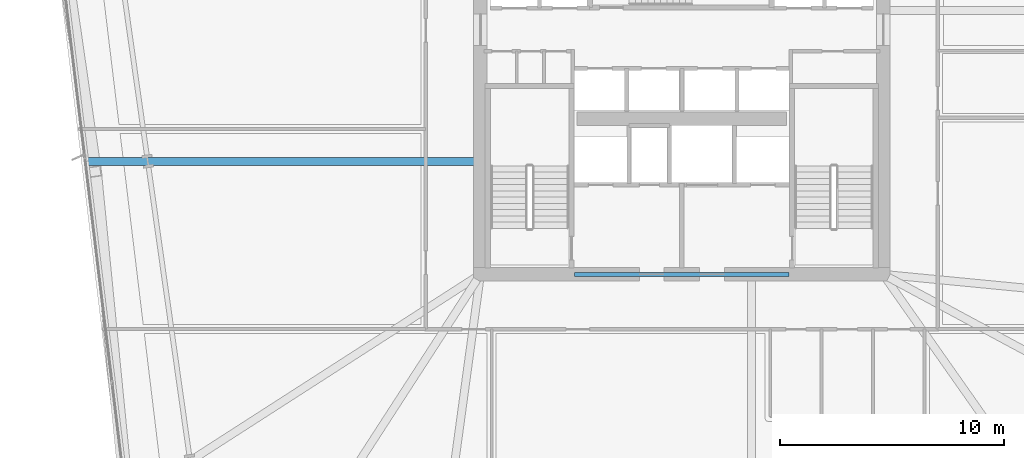
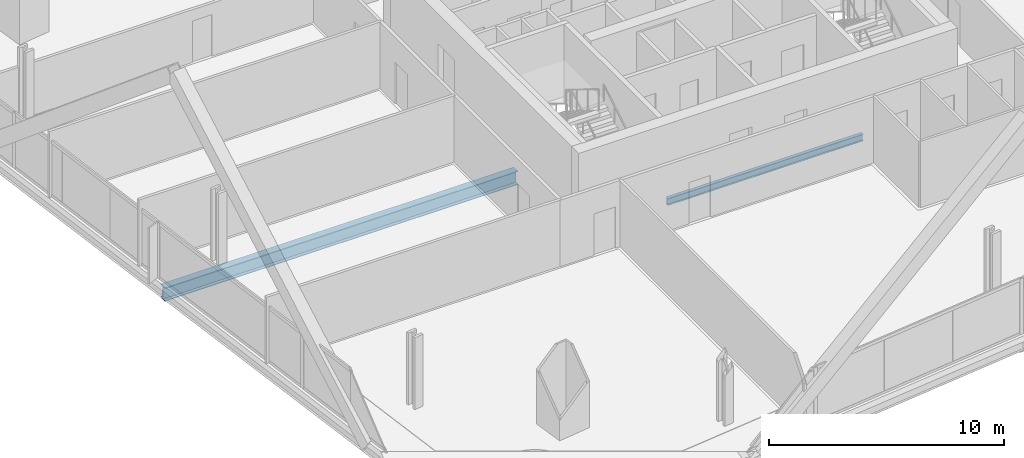
# One storey, part 8 of 33: 2 beams.
"""IFC4 building model written with IfcOpenShell, lengths in metres."""

from ifc_helpers import new_model, si_unit, direction, frame, origin, origin_2d, place, context, subcontext, project, spatial, i_section, extrude, material, material_profile, profile_set, type_object, element, save


model = new_model("IFC4")

# Units and contexts
model_context = context("Model", 3, precision=1e-05, world=origin(), true_north=direction((0.0, 1.0)))
body_context = subcontext(model_context, "Body", "Model", "MODEL_VIEW")
ifc_project = project(units=[si_unit("LENGTHUNIT", "METRE"), si_unit("AREAUNIT", "SQUARE_METRE"), si_unit("VOLUMEUNIT", "CUBIC_METRE"), si_unit("PLANEANGLEUNIT", "RADIAN"), si_unit("MASSUNIT", "GRAM", prefix="KILO")], contexts=[model_context])

# Site, building, storey
site_placement = place(None, origin())
site = spatial("IfcSite", under=ifc_project, at=site_placement, CompositionType="ELEMENT")
building_placement = place(site_placement, origin())
building = spatial("IfcBuilding", under=site, at=building_placement, Name="Haldenkirk Collegiate Tower", CompositionType="ELEMENT")
storey_placement = place(building_placement, frame((0.0, 0.0, 51.449951171875)))
storey = spatial("IfcBuildingStorey", under=building, at=storey_placement, Name="L11", CompositionType="ELEMENT", Elevation=51.449951171875)

# Beams
ifc_material = material(Name="Steel ASTM A992 Grade 50", Category="steel")
ifc_material_profile_1 = material_profile(ifc_material, i_section(OverallWidth=0.35498046875, OverallDepth=0.696044921875, WebThickness=0.015380859375, FlangeThickness=0.02490234375, at=origin_2d()), Name="W27X146")
ifc_profile_set_1 = profile_set([ifc_material_profile_1], Name="Steel ASTM A992 Grade 50")
beam_type_1 = type_object("IfcBeamType", Name="BM-GIRDER-W27X146", PredefinedType="BEAM", material=ifc_profile_set_1)
beam_1_placement = place(storey_placement, frame((9.38134765625, 23.052978515625, -0.657958984375), z_axis=(1.0, 0.0, 0.0), x_axis=(0.0, 1.0, 0.0)))
element("IfcBeam", 1, at=beam_1_placement, inside=storey, type_object=beam_type_1, Name="L11 primary floor girder 15", PredefinedType="BEAM", context=body_context, shape_type="SweptSolid", body=[
    extrude(i_section(OverallWidth=0.35498046875, OverallDepth=0.696044921875, WebThickness=0.015380859375, FlangeThickness=0.02490234375, at=origin_2d()), origin(), (0.0, 0.0, 1.0), 17.338623046875),
])
ifc_material_profile_2 = material_profile(ifc_material, i_section(OverallWidth=0.1708984375, OverallDepth=0.35595703125, WebThickness=0.007080078125, FlangeThickness=0.01171875, at=origin_2d()), Name="W14X34")
ifc_profile_set_2 = profile_set([ifc_material_profile_2], Name="Steel ASTM A992 Grade 50")
beam_type_2 = type_object("IfcBeamType", Name="BM-LINTEL-W14X34", PredefinedType="LINTEL", material=ifc_profile_set_2)
beam_2_placement = place(storey_placement, frame((31.199951171875, 18.0, -0.488037109375), z_axis=(1.0, 0.0, 0.0), x_axis=(0.0, 1.0, 0.0)))
element("IfcBeam", 2, at=beam_2_placement, inside=storey, type_object=beam_type_2, Name="L11 south core coupling lintel", PredefinedType="LINTEL", context=body_context, shape_type="SweptSolid", body=[
    extrude(i_section(OverallWidth=0.1708984375, OverallDepth=0.35595703125, WebThickness=0.007080078125, FlangeThickness=0.01171875, at=origin_2d()), origin(), (0.0, 0.0, 1.0), 9.60009765625),
])

save(model, "model.ifc")
